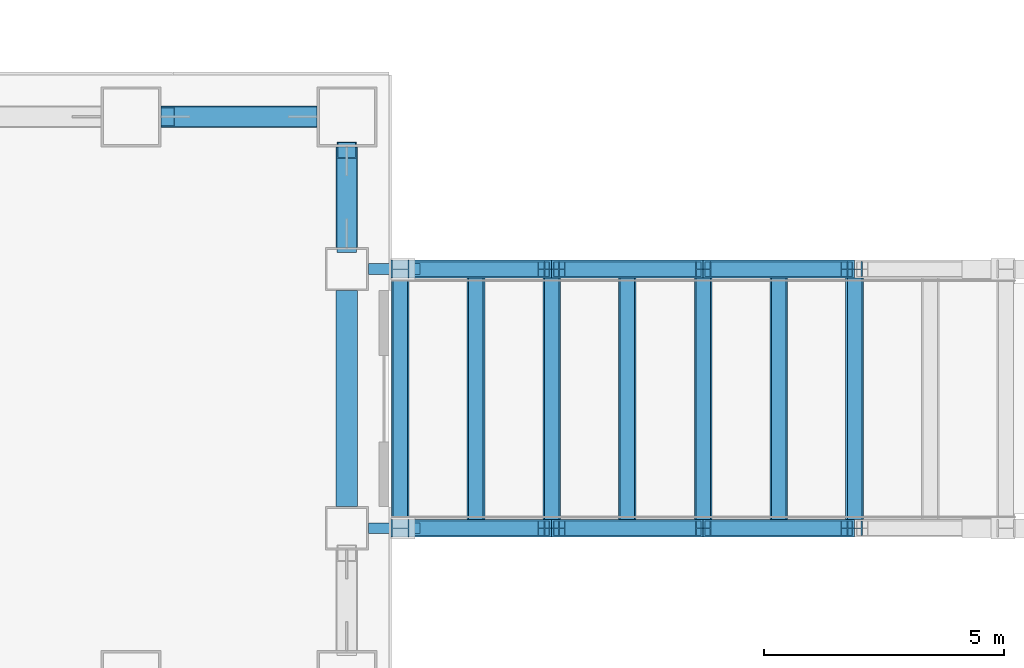
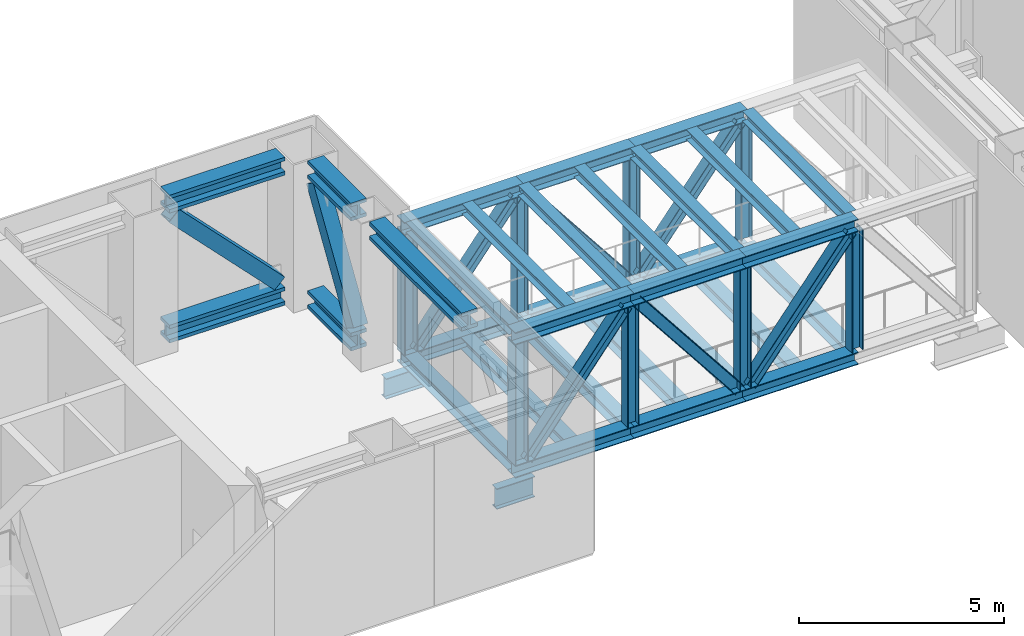
# One storey, part 4 of 21: 35 members, 14 beams.
"""IFC4 building model written with IfcOpenShell, lengths in metres."""

from ifc_helpers import new_model, si_unit, direction, frame, origin, origin_2d, place, context, subcontext, project, spatial, hollow_rectangle, i_section, extrude, material, material_profile, profile_set, type_object, element, save


model = new_model("IFC4")

# Units and contexts
model_context = context("Model", 3, precision=1e-05, world=origin(), true_north=direction((0.0, 1.0)))
body_context = subcontext(model_context, "Body", "Model", "MODEL_VIEW")
ifc_project = project(units=[si_unit("LENGTHUNIT", "METRE"), si_unit("AREAUNIT", "SQUARE_METRE"), si_unit("VOLUMEUNIT", "CUBIC_METRE"), si_unit("PLANEANGLEUNIT", "RADIAN"), si_unit("MASSUNIT", "GRAM", prefix="KILO")], contexts=[model_context])

# Site, building, storey
site_placement = place(None, origin())
site = spatial("IfcSite", under=ifc_project, at=site_placement, CompositionType="ELEMENT")
building_placement = place(site_placement, origin())
building = spatial("IfcBuilding", under=site, at=building_placement, Name="Shamsa Quay Exchange Towers", CompositionType="ELEMENT")
storey_placement = place(building_placement, frame((0.0, 0.0, 128.699951171875)))
storey = spatial("IfcBuildingStorey", under=building, at=storey_placement, Name="L30", CompositionType="ELEMENT", Elevation=128.699951171875)

# Members
ifc_material = material(Name="Steel S355", Category="steel")
ifc_material_profile_1 = material_profile(ifc_material, i_section(OverallWidth=0.22900390625, OverallDepth=0.612060546875, WebThickness=0.011962890625, FlangeThickness=0.01953125, at=origin_2d()), Name="W24x84")
ifc_profile_set_1 = profile_set([ifc_material_profile_1], Name="Steel S355")
member_type_1 = type_object("IfcMemberType", Name="Bearing seat W24x84", PredefinedType="USERDEFINED", material=ifc_profile_set_1)
for number, where, z_axis, x_axis, name in (
    (1, (-4.925048828125, -2.699951171875, -1.023681640625), (1.0, 0.0, 0.0), (0.0, 1.0, 0.0), "Bearing seat BR2 T1 S"),
    (2, (-4.925048828125, 2.699951171875, -1.023681640625), (1.0, 0.0, 0.0), (0.0, 1.0, 0.0), "Bearing seat BR2 T1 N"),
):
    element("IfcMember", number, at=place(storey_placement, frame(where, z_axis=z_axis, x_axis=x_axis)), inside=storey, type_object=member_type_1, Name=name, ObjectType="BEARING SEAT", PredefinedType="USERDEFINED", context=body_context, shape_type="SweptSolid", body=[
        extrude(i_section(OverallWidth=0.22900390625, OverallDepth=0.612060546875, WebThickness=0.011962890625, FlangeThickness=0.01953125, at=origin_2d()), origin(), (0.0, 0.0, 1.0), 1.074951171875),
    ])
ifc_material_profile_2 = material_profile(ifc_material, i_section(OverallWidth=0.4423828125, OverallDepth=0.531494140625, WebThickness=0.06591796875, FlangeThickness=0.105712890625, at=origin_2d()), Name="W14x605")
ifc_profile_set_2 = profile_set([ifc_material_profile_2], Name="Steel S355")
member_type_2 = type_object("IfcMemberType", Name="Belt chord W14x605", PredefinedType="CHORD", material=ifc_profile_set_2)
for number, where, z_axis, x_axis, name in (
    (3, (-5.375, 3.14990234375, 4.13427734375), (0.0, 1.0, 0.0), (-1.0, 0.0, 0.0), "Belt truss chord T1 L30 12"),
    (4, (-5.375, 3.14990234375, 0.265869140625), (0.0, 1.0, 0.0), (-1.0, 0.0, 0.0), "Belt truss chord T1 L30 12"),
):
    element("IfcMember", number, at=place(storey_placement, frame(where, z_axis=z_axis, x_axis=x_axis)), inside=storey, type_object=member_type_2, Name=name, PredefinedType="CHORD", context=body_context, shape_type="SweptSolid", body=[
        extrude(i_section(OverallWidth=0.4423828125, OverallDepth=0.531494140625, WebThickness=0.06591796875, FlangeThickness=0.105712890625, at=origin_2d()), origin(), (0.0, 0.0, 1.0), 2.10009765625),
    ])
member_1_placement = place(storey_placement, frame((-5.375, -2.25, 4.13427734375), z_axis=(0.0, 1.0, 0.0), x_axis=(-1.0, 0.0, 0.0)))
element("IfcMember", 5, at=member_1_placement, inside=storey, type_object=member_type_2, Name="Belt truss chord T1 L30 13", PredefinedType="CHORD", context=body_context, shape_type="SweptSolid", body=[
    extrude(i_section(OverallWidth=0.4423828125, OverallDepth=0.531494140625, WebThickness=0.06591796875, FlangeThickness=0.105712890625, at=origin_2d()), origin(), (0.0, 0.0, 1.0), 4.5),
])
for number, where, z_axis, x_axis, name in (
    (6, (-6.0, 5.875, 4.13427734375), (-1.0, 0.0, 0.0), (0.0, -1.0, 0.0), "Belt truss chord T1 L30 14"),
    (7, (-6.0, 5.875, 0.265869140625), (-1.0, 0.0, 0.0), (0.0, -1.0, 0.0), "Belt truss chord T1 L30 14"),
):
    element("IfcMember", number, at=place(storey_placement, frame(where, z_axis=z_axis, x_axis=x_axis)), inside=storey, type_object=member_type_2, Name=name, PredefinedType="CHORD", context=body_context, shape_type="SweptSolid", body=[
        extrude(i_section(OverallWidth=0.4423828125, OverallDepth=0.531494140625, WebThickness=0.06591796875, FlangeThickness=0.105712890625, at=origin_2d()), origin(), (0.0, 0.0, 1.0), 3.25),
    ])
ifc_material_profile_3 = material_profile(ifc_material, hollow_rectangle(XDim=0.406494140625, YDim=0.406494140625, WallThickness=0.01904296875, at=origin_2d()), Name="HSS16x16x3/4")
ifc_profile_set_3 = profile_set([ifc_material_profile_3], Name="Steel S355")
member_type_3 = type_object("IfcMemberType", Name="Belt diagonal HSS16x16x3/4", PredefinedType="BRACE", material=ifc_profile_set_3)
member_2_placement = place(storey_placement, frame((-5.375, 3.218017578125, 0.6396484375), z_axis=(0.0, 0.53259725521, 0.84636881071), x_axis=(-1.0, 0.0, 0.0)))
element("IfcMember", 8, at=member_2_placement, inside=storey, type_object=member_type_3, Name="Belt truss diagonal T1 L30 12", PredefinedType="BRACE", context=body_context, shape_type="SweptSolid", body=[
    extrude(hollow_rectangle(XDim=0.406494140625, YDim=0.406494140625, WallThickness=0.01904296875, at=origin_2d()), origin(), (0.0, 0.0, 1.0), 3.687255859375),
])
member_3_placement = place(storey_placement, frame((-6.13818359375, 5.875, 0.67333984375), z_axis=(-0.69767935738, 0.0, 0.716410157861), x_axis=(0.0, -1.0, 0.0)))
element("IfcMember", 9, at=member_3_placement, inside=storey, type_object=member_type_3, Name="Belt truss diagonal T1 L30 14", PredefinedType="BRACE", context=body_context, shape_type="SweptSolid", body=[
    extrude(hollow_rectangle(XDim=0.406494140625, YDim=0.406494140625, WallThickness=0.01904296875, at=origin_2d()), origin(), (0.0, 0.0, 1.0), 4.26220703125),
])
ifc_material_profile_4 = material_profile(ifc_material, i_section(OverallWidth=0.37255859375, OverallDepth=0.367919921875, WebThickness=0.014892578125, FlangeThickness=0.02392578125, at=origin_2d()), Name="W14x120")
ifc_profile_set_4 = profile_set([ifc_material_profile_4], Name="Steel S355")
member_type_4 = type_object("IfcMemberType", Name="Skybridge chord W14x120", PredefinedType="CHORD", material=ifc_profile_set_4)
member_4_placement = place(storey_placement, frame((-4.449951171875, -2.699951171875, 3.6240234375), z_axis=(1.0, 0.0, 0.0), x_axis=(0.0, 1.0, 0.0)))
element("IfcMember", 10, at=member_4_placement, inside=storey, type_object=member_type_4, Name="Skybridge BR2 truss S top chord", PredefinedType="CHORD", context=body_context, shape_type="SweptSolid", body=[
    extrude(i_section(OverallWidth=0.37255859375, OverallDepth=0.367919921875, WebThickness=0.014892578125, FlangeThickness=0.02392578125, at=origin_2d()), origin(), (0.0, 0.0, 1.0), 3.343017578125),
])
member_5_placement = place(storey_placement, frame((-1.10693359375, -2.699951171875, 3.6240234375), z_axis=(1.0, 0.0, 0.0), x_axis=(0.0, 1.0, 0.0)))
element("IfcMember", 11, at=member_5_placement, inside=storey, type_object=member_type_4, Name="Skybridge BR2 truss S top chord", PredefinedType="CHORD", context=body_context, shape_type="SweptSolid", body=[
    extrude(i_section(OverallWidth=0.37255859375, OverallDepth=0.367919921875, WebThickness=0.014892578125, FlangeThickness=0.02392578125, at=origin_2d()), origin(), (0.0, 0.0, 1.0), 3.156982421875),
])
member_6_placement = place(storey_placement, frame((2.050048828125, -2.699951171875, 3.6240234375), z_axis=(1.0, 0.0, 0.0), x_axis=(0.0, 1.0, 0.0)))
element("IfcMember", 12, at=member_6_placement, inside=storey, type_object=member_type_4, Name="Skybridge BR2 truss S top chord", PredefinedType="CHORD", context=body_context, shape_type="SweptSolid", body=[
    extrude(i_section(OverallWidth=0.37255859375, OverallDepth=0.367919921875, WebThickness=0.014892578125, FlangeThickness=0.02392578125, at=origin_2d()), origin(), (0.0, 0.0, 1.0), 3.15673828125),
])
member_7_placement = place(storey_placement, frame((-4.449951171875, -2.699951171875, -0.333740234375), z_axis=(1.0, 0.0, 0.0), x_axis=(0.0, 1.0, 0.0)))
element("IfcMember", 13, at=member_7_placement, inside=storey, type_object=member_type_4, Name="Skybridge BR2 truss S bottom chord", PredefinedType="CHORD", context=body_context, shape_type="SweptSolid", body=[
    extrude(i_section(OverallWidth=0.37255859375, OverallDepth=0.367919921875, WebThickness=0.014892578125, FlangeThickness=0.02392578125, at=origin_2d()), origin(), (0.0, 0.0, 1.0), 3.343017578125),
])
member_8_placement = place(storey_placement, frame((-1.10693359375, -2.699951171875, -0.333740234375), z_axis=(1.0, 0.0, 0.0), x_axis=(0.0, 1.0, 0.0)))
element("IfcMember", 14, at=member_8_placement, inside=storey, type_object=member_type_4, Name="Skybridge BR2 truss S bottom chord", PredefinedType="CHORD", context=body_context, shape_type="SweptSolid", body=[
    extrude(i_section(OverallWidth=0.37255859375, OverallDepth=0.367919921875, WebThickness=0.014892578125, FlangeThickness=0.02392578125, at=origin_2d()), origin(), (0.0, 0.0, 1.0), 3.156982421875),
])
member_9_placement = place(storey_placement, frame((2.050048828125, -2.699951171875, -0.333740234375), z_axis=(1.0, 0.0, 0.0), x_axis=(0.0, 1.0, 0.0)))
element("IfcMember", 15, at=member_9_placement, inside=storey, type_object=member_type_4, Name="Skybridge BR2 truss S bottom chord", PredefinedType="CHORD", context=body_context, shape_type="SweptSolid", body=[
    extrude(i_section(OverallWidth=0.37255859375, OverallDepth=0.367919921875, WebThickness=0.014892578125, FlangeThickness=0.02392578125, at=origin_2d()), origin(), (0.0, 0.0, 1.0), 3.15673828125),
])
member_10_placement = place(storey_placement, frame((-4.449951171875, 2.699951171875, 3.6240234375), z_axis=(1.0, 0.0, 0.0), x_axis=(0.0, 1.0, 0.0)))
element("IfcMember", 16, at=member_10_placement, inside=storey, type_object=member_type_4, Name="Skybridge BR2 truss N top chord", PredefinedType="CHORD", context=body_context, shape_type="SweptSolid", body=[
    extrude(i_section(OverallWidth=0.37255859375, OverallDepth=0.367919921875, WebThickness=0.014892578125, FlangeThickness=0.02392578125, at=origin_2d()), origin(), (0.0, 0.0, 1.0), 3.343017578125),
])
member_11_placement = place(storey_placement, frame((-1.10693359375, 2.699951171875, 3.6240234375), z_axis=(1.0, 0.0, 0.0), x_axis=(0.0, 1.0, 0.0)))
element("IfcMember", 17, at=member_11_placement, inside=storey, type_object=member_type_4, Name="Skybridge BR2 truss N top chord", PredefinedType="CHORD", context=body_context, shape_type="SweptSolid", body=[
    extrude(i_section(OverallWidth=0.37255859375, OverallDepth=0.367919921875, WebThickness=0.014892578125, FlangeThickness=0.02392578125, at=origin_2d()), origin(), (0.0, 0.0, 1.0), 3.156982421875),
])
member_12_placement = place(storey_placement, frame((2.050048828125, 2.699951171875, 3.6240234375), z_axis=(1.0, 0.0, 0.0), x_axis=(0.0, 1.0, 0.0)))
element("IfcMember", 18, at=member_12_placement, inside=storey, type_object=member_type_4, Name="Skybridge BR2 truss N top chord", PredefinedType="CHORD", context=body_context, shape_type="SweptSolid", body=[
    extrude(i_section(OverallWidth=0.37255859375, OverallDepth=0.367919921875, WebThickness=0.014892578125, FlangeThickness=0.02392578125, at=origin_2d()), origin(), (0.0, 0.0, 1.0), 3.15673828125),
])
member_13_placement = place(storey_placement, frame((-4.449951171875, 2.699951171875, -0.333740234375), z_axis=(1.0, 0.0, 0.0), x_axis=(0.0, 1.0, 0.0)))
element("IfcMember", 19, at=member_13_placement, inside=storey, type_object=member_type_4, Name="Skybridge BR2 truss N bottom chord", PredefinedType="CHORD", context=body_context, shape_type="SweptSolid", body=[
    extrude(i_section(OverallWidth=0.37255859375, OverallDepth=0.367919921875, WebThickness=0.014892578125, FlangeThickness=0.02392578125, at=origin_2d()), origin(), (0.0, 0.0, 1.0), 3.343017578125),
])
member_14_placement = place(storey_placement, frame((-1.10693359375, 2.699951171875, -0.333740234375), z_axis=(1.0, 0.0, 0.0), x_axis=(0.0, 1.0, 0.0)))
element("IfcMember", 20, at=member_14_placement, inside=storey, type_object=member_type_4, Name="Skybridge BR2 truss N bottom chord", PredefinedType="CHORD", context=body_context, shape_type="SweptSolid", body=[
    extrude(i_section(OverallWidth=0.37255859375, OverallDepth=0.367919921875, WebThickness=0.014892578125, FlangeThickness=0.02392578125, at=origin_2d()), origin(), (0.0, 0.0, 1.0), 3.156982421875),
])
member_15_placement = place(storey_placement, frame((2.050048828125, 2.699951171875, -0.333740234375), z_axis=(1.0, 0.0, 0.0), x_axis=(0.0, 1.0, 0.0)))
element("IfcMember", 21, at=member_15_placement, inside=storey, type_object=member_type_4, Name="Skybridge BR2 truss N bottom chord", PredefinedType="CHORD", context=body_context, shape_type="SweptSolid", body=[
    extrude(i_section(OverallWidth=0.37255859375, OverallDepth=0.367919921875, WebThickness=0.014892578125, FlangeThickness=0.02392578125, at=origin_2d()), origin(), (0.0, 0.0, 1.0), 3.15673828125),
])
ifc_material_profile_5 = material_profile(ifc_material, i_section(OverallWidth=0.3046875, OverallDepth=0.307861328125, WebThickness=0.010009765625, FlangeThickness=0.015380859375, at=origin_2d()), Name="W12x65")
ifc_profile_set_5 = profile_set([ifc_material_profile_5], Name="Steel S355")
member_type_5 = type_object("IfcMemberType", Name="Skybridge diagonal W12x65", PredefinedType="BRACE", material=ifc_profile_set_5)
member_16_placement = place(storey_placement, frame((-4.07763671875, -2.699951171875, -0.14990234375), z_axis=(0.616292376205, 0.0, 0.787517432843), x_axis=(0.0, 1.0, 0.0)))
element("IfcMember", 22, at=member_16_placement, inside=storey, type_object=member_type_5, Name="Skybridge BR2 truss S diagonal", PredefinedType="BRACE", context=body_context, shape_type="SweptSolid", body=[
    extrude(i_section(OverallWidth=0.3046875, OverallDepth=0.307861328125, WebThickness=0.010009765625, FlangeThickness=0.015380859375, at=origin_2d()), origin(), (0.0, 0.0, 1.0), 4.558349609375),
])
for number, where, z_axis, x_axis, name in (
    (23, (-0.945556640625, -2.699951171875, 3.43994140625), (0.619663325885, 0.0, -0.784867735706), (0.0, 1.0, 0.0), "Skybridge BR2 truss S diagonal"),
    (24, (2.21142578125, -2.699951171875, -0.14990234375), (0.619630442579, 0.0, 0.784893696388), (0.0, 1.0, 0.0), "Skybridge BR2 truss S diagonal"),
):
    element("IfcMember", number, at=place(storey_placement, frame(where, z_axis=z_axis, x_axis=x_axis)), inside=storey, type_object=member_type_5, Name=name, PredefinedType="BRACE", context=body_context, shape_type="SweptSolid", body=[
        extrude(i_section(OverallWidth=0.3046875, OverallDepth=0.307861328125, WebThickness=0.010009765625, FlangeThickness=0.015380859375, at=origin_2d()), origin(), (0.0, 0.0, 1.0), 4.57373046875),
    ])
member_17_placement = place(storey_placement, frame((-4.07763671875, 2.699951171875, -0.14990234375), z_axis=(0.616292376205, 0.0, 0.787517432843), x_axis=(0.0, 1.0, 0.0)))
element("IfcMember", 25, at=member_17_placement, inside=storey, type_object=member_type_5, Name="Skybridge BR2 truss N diagonal", PredefinedType="BRACE", context=body_context, shape_type="SweptSolid", body=[
    extrude(i_section(OverallWidth=0.3046875, OverallDepth=0.307861328125, WebThickness=0.010009765625, FlangeThickness=0.015380859375, at=origin_2d()), origin(), (0.0, 0.0, 1.0), 4.558349609375),
])
for number, where, z_axis, x_axis, name in (
    (26, (-0.945556640625, 2.699951171875, 3.43994140625), (0.619663325885, 0.0, -0.784867735706), (0.0, 1.0, 0.0), "Skybridge BR2 truss N diagonal"),
    (27, (2.21142578125, 2.699951171875, -0.14990234375), (0.619630442579, 0.0, 0.784893696388), (0.0, 1.0, 0.0), "Skybridge BR2 truss N diagonal"),
):
    element("IfcMember", number, at=place(storey_placement, frame(where, z_axis=z_axis, x_axis=x_axis)), inside=storey, type_object=member_type_5, Name=name, PredefinedType="BRACE", context=body_context, shape_type="SweptSolid", body=[
        extrude(i_section(OverallWidth=0.3046875, OverallDepth=0.307861328125, WebThickness=0.010009765625, FlangeThickness=0.015380859375, at=origin_2d()), origin(), (0.0, 0.0, 1.0), 4.57373046875),
    ])
ifc_material_profile_6 = material_profile(ifc_material, i_section(OverallWidth=0.3740234375, OverallDepth=0.372314453125, WebThickness=0.016357421875, FlangeThickness=0.026123046875, at=origin_2d()), Name="W14x132")
ifc_profile_set_6 = profile_set([ifc_material_profile_6], Name="Steel S355")
member_type_6 = type_object("IfcMemberType", Name="Skybridge end post W14x132", PredefinedType="POST", material=ifc_profile_set_6)
for number, where, z_axis, x_axis, name in (
    (28, (-4.263916015625, -2.699951171875, -0.14990234375), (0.0, 0.0, 1.0), (0.0, 1.0, 0.0), "Skybridge BR2 truss S post"),
    (29, (-4.263916015625, 2.699951171875, -0.14990234375), (0.0, 0.0, 1.0), (0.0, 1.0, 0.0), "Skybridge BR2 truss N post"),
):
    element("IfcMember", number, at=place(storey_placement, frame(where, z_axis=z_axis, x_axis=x_axis)), inside=storey, type_object=member_type_6, Name=name, PredefinedType="POST", context=body_context, shape_type="SweptSolid", body=[
        extrude(i_section(OverallWidth=0.3740234375, OverallDepth=0.372314453125, WebThickness=0.016357421875, FlangeThickness=0.026123046875, at=origin_2d()), origin(), (0.0, 0.0, 1.0), 3.58984375),
    ])

# Beams
ifc_material_profile_7 = material_profile(ifc_material, i_section(OverallWidth=0.368896484375, OverallDepth=0.356201171875, WebThickness=0.01123046875, FlangeThickness=0.01806640625, at=origin_2d()), Name="W14x90")
ifc_profile_set_7 = profile_set([ifc_material_profile_7], Name="Steel S355")
beam_type_1 = type_object("IfcBeamType", Name="Skybridge floor beam W14x90", PredefinedType="BEAM", material=ifc_profile_set_7)
for number, where, z_axis, x_axis, name in (
    (30, (-4.263916015625, -2.513671875, -0.327880859375), (0.0, 1.0, 0.0), (-1.0, 0.0, 0.0), "Skybridge BR2 floor beam"),
    (31, (-2.685302734375, -2.513671875, -0.327880859375), (0.0, 1.0, 0.0), (-1.0, 0.0, 0.0), "Skybridge BR2 floor beam"),
    (32, (-1.10693359375, -2.513671875, -0.327880859375), (0.0, 1.0, 0.0), (-1.0, 0.0, 0.0), "Skybridge BR2 floor beam"),
    (33, (0.471435546875, -2.513671875, -0.327880859375), (0.0, 1.0, 0.0), (-1.0, 0.0, 0.0), "Skybridge BR2 floor beam"),
    (34, (2.050048828125, -2.513671875, -0.327880859375), (0.0, 1.0, 0.0), (-1.0, 0.0, 0.0), "Skybridge BR2 floor beam"),
    (35, (3.62841796875, -2.513671875, -0.327880859375), (0.0, 1.0, 0.0), (-1.0, 0.0, 0.0), "Skybridge BR2 floor beam"),
    (36, (5.206787109375, -2.513671875, -0.327880859375), (0.0, 1.0, 0.0), (-1.0, 0.0, 0.0), "Skybridge BR2 floor beam"),
):
    element("IfcBeam", number, at=place(storey_placement, frame(where, z_axis=z_axis, x_axis=x_axis)), inside=storey, type_object=beam_type_1, Name=name, PredefinedType="BEAM", context=body_context, shape_type="SweptSolid", body=[
        extrude(i_section(OverallWidth=0.368896484375, OverallDepth=0.356201171875, WebThickness=0.01123046875, FlangeThickness=0.01806640625, at=origin_2d()), origin(), (0.0, 0.0, 1.0), 5.02734375),
    ])

# Members
ifc_material_profile_8 = material_profile(ifc_material, i_section(OverallWidth=0.308837890625, OverallDepth=0.32275390625, WebThickness=0.013916015625, FlangeThickness=0.02294921875, at=origin_2d()), Name="W12x96")
ifc_profile_set_8 = profile_set([ifc_material_profile_8], Name="Steel S355")
member_type_7 = type_object("IfcMemberType", Name="Skybridge post W12x96", PredefinedType="POST", material=ifc_profile_set_8)
for number, where, z_axis, x_axis, name in (
    (37, (-1.10693359375, -2.699951171875, -0.14990234375), (0.0, 0.0, 1.0), (0.0, 1.0, 0.0), "Skybridge BR2 truss S post"),
    (38, (2.050048828125, -2.699951171875, -0.14990234375), (0.0, 0.0, 1.0), (0.0, 1.0, 0.0), "Skybridge BR2 truss S post"),
    (39, (5.206787109375, -2.699951171875, -0.14990234375), (0.0, 0.0, 1.0), (0.0, 1.0, 0.0), "Skybridge BR2 truss S post"),
    (40, (-1.10693359375, 2.699951171875, -0.14990234375), (0.0, 0.0, 1.0), (0.0, 1.0, 0.0), "Skybridge BR2 truss N post"),
    (41, (2.050048828125, 2.699951171875, -0.14990234375), (0.0, 0.0, 1.0), (0.0, 1.0, 0.0), "Skybridge BR2 truss N post"),
    (42, (5.206787109375, 2.699951171875, -0.14990234375), (0.0, 0.0, 1.0), (0.0, 1.0, 0.0), "Skybridge BR2 truss N post"),
):
    element("IfcMember", number, at=place(storey_placement, frame(where, z_axis=z_axis, x_axis=x_axis)), inside=storey, type_object=member_type_7, Name=name, PredefinedType="POST", context=body_context, shape_type="SweptSolid", body=[
        extrude(i_section(OverallWidth=0.308837890625, OverallDepth=0.32275390625, WebThickness=0.013916015625, FlangeThickness=0.02294921875, at=origin_2d()), origin(), (0.0, 0.0, 1.0), 3.58984375),
    ])

# Beams
ifc_material_profile_9 = material_profile(ifc_material, i_section(OverallWidth=0.3046875, OverallDepth=0.307861328125, WebThickness=0.010009765625, FlangeThickness=0.015380859375, at=origin_2d()), Name="W12x65")
ifc_profile_set_9 = profile_set([ifc_material_profile_9], Name="Steel S355")
beam_type_2 = type_object("IfcBeamType", Name="Skybridge roof beam W12x65", PredefinedType="BEAM", material=ifc_profile_set_9)
for number, where, z_axis, x_axis, name in (
    (43, (-4.263916015625, -2.513671875, 3.654052734375), (0.0, 1.0, 0.0), (-1.0, 0.0, 0.0), "Skybridge BR2 roof beam"),
    (44, (-2.685302734375, -2.513671875, 3.654052734375), (0.0, 1.0, 0.0), (-1.0, 0.0, 0.0), "Skybridge BR2 roof beam"),
    (45, (-1.10693359375, -2.513671875, 3.654052734375), (0.0, 1.0, 0.0), (-1.0, 0.0, 0.0), "Skybridge BR2 roof beam"),
    (46, (0.471435546875, -2.513671875, 3.654052734375), (0.0, 1.0, 0.0), (-1.0, 0.0, 0.0), "Skybridge BR2 roof beam"),
    (47, (2.050048828125, -2.513671875, 3.654052734375), (0.0, 1.0, 0.0), (-1.0, 0.0, 0.0), "Skybridge BR2 roof beam"),
    (48, (3.62841796875, -2.513671875, 3.654052734375), (0.0, 1.0, 0.0), (-1.0, 0.0, 0.0), "Skybridge BR2 roof beam"),
    (49, (5.206787109375, -2.513671875, 3.654052734375), (0.0, 1.0, 0.0), (-1.0, 0.0, 0.0), "Skybridge BR2 roof beam"),
):
    element("IfcBeam", number, at=place(storey_placement, frame(where, z_axis=z_axis, x_axis=x_axis)), inside=storey, type_object=beam_type_2, Name=name, PredefinedType="BEAM", context=body_context, shape_type="SweptSolid", body=[
        extrude(i_section(OverallWidth=0.3046875, OverallDepth=0.307861328125, WebThickness=0.010009765625, FlangeThickness=0.015380859375, at=origin_2d()), origin(), (0.0, 0.0, 1.0), 5.02734375),
    ])

save(model, "model.ifc")
